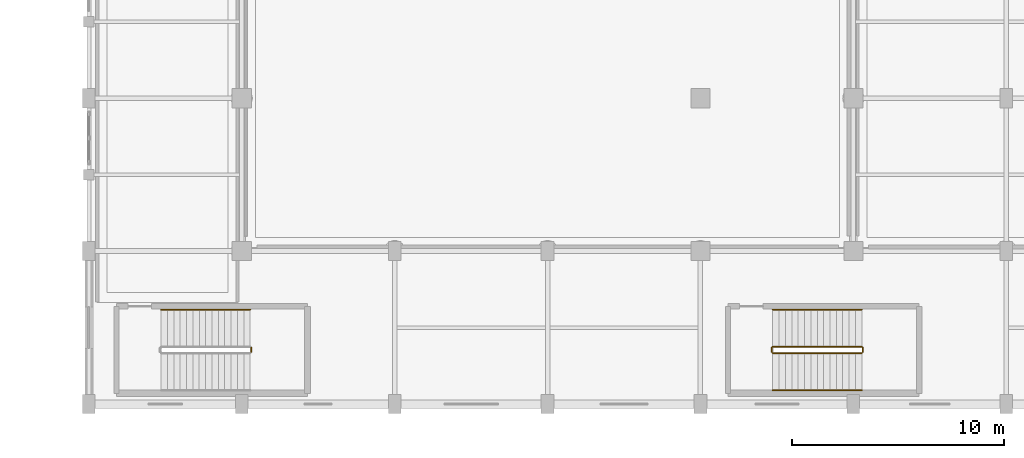
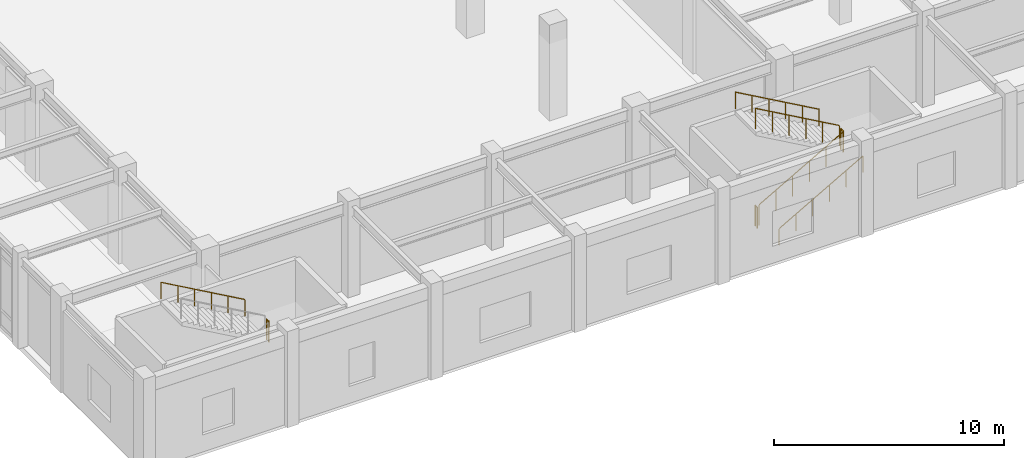
# One storey, part 114 of 117: 8 railings.
"""IFC4 building model written with IfcOpenShell, lengths in metres."""

from ifc_helpers import new_model, si_unit, direction, frame, origin, origin_2d, place, context, subcontext, project, spatial, circle, extrude, material, layer, layer_set, type_object, element, save


model = new_model("IFC4")

# Units and contexts
model_context = context("Model", 3, precision=1e-05, world=origin(), true_north=direction((0.0, 1.0)))
body_context = subcontext(model_context, "Body", "Model", "MODEL_VIEW")
ifc_project = project(units=[si_unit("LENGTHUNIT", "METRE"), si_unit("AREAUNIT", "SQUARE_METRE"), si_unit("VOLUMEUNIT", "CUBIC_METRE"), si_unit("PLANEANGLEUNIT", "RADIAN"), si_unit("MASSUNIT", "GRAM", prefix="KILO")], contexts=[model_context])

# Site, building, storey
site_placement = place(None, origin())
site = spatial("IfcSite", under=ifc_project, at=site_placement, CompositionType="ELEMENT")
building_placement = place(site_placement, origin())
building = spatial("IfcBuilding", under=site, at=building_placement, Name="Carrowvane Square Congress Hotel", CompositionType="ELEMENT")
storey_placement = place(building_placement, frame((0.0, 0.0, 5.39990234375)))
storey = spatial("IfcBuildingStorey", under=building, at=storey_placement, Name="L01", CompositionType="ELEMENT", Elevation=5.39990234375)

# Railings
ifc_material_1 = material(Name="Stainless steel 316", Category="steel")
ifc_layer_1 = layer(ifc_material_1, 0.048095703125)
ifc_layer_set_1 = layer_set([ifc_layer_1], Name="Stainless steel 316")
railing_type_1 = type_object("IfcRailingType", Name="RLG-HR-900", PredefinedType="HANDRAIL", material=ifc_layer_set_1)
railing_1_placement = place(storey_placement, frame((141.60009765625, 9.85009765625, 2.72021484375)))
element("IfcRailing", 1, at=railing_1_placement, inside=storey, type_object=railing_type_1, Name="L01 ST10 stair handrail 2", PredefinedType="HANDRAIL", context=body_context, shape_type="SweptSolid", body=[
    extrude(circle(Radius=0.02392578125, at=origin_2d()), frame((0.0, 0.0, 0.8759765625), z_axis=(-0.870042430969, 0.0, 0.492976843588), x_axis=(0.0, -1.0, 0.0)), (0.0, 0.0, 1.0), 4.82763671875),
    extrude(circle(Radius=0.02099609375, at=origin_2d()), origin(), (0.0, 0.0, 1.0), 0.851806640625),
    extrude(circle(Radius=0.02099609375, at=origin_2d()), frame((-0.840087890625, 0.0, 0.47607421875)), (0.0, 0.0, 1.0), 0.851806640625),
    extrude(circle(Radius=0.02099609375, at=origin_2d()), frame((-1.68017578125, 0.0, 0.951904296875)), (0.0, 0.0, 1.0), 0.851806640625),
    extrude(circle(Radius=0.02099609375, at=origin_2d()), frame((-2.52001953125, 0.0, 1.427978515625)), (0.0, 0.0, 1.0), 0.851806640625),
    extrude(circle(Radius=0.02099609375, at=origin_2d()), frame((-3.360107421875, 0.0, 1.90380859375)), (0.0, 0.0, 1.0), 0.851806640625),
    extrude(circle(Radius=0.02099609375, at=origin_2d()), frame((-4.2001953125, 0.0, 2.3798828125)), (0.0, 0.0, 1.0), 0.851806640625),
])
railing_2_placement = place(storey_placement, frame((166.199951171875, 6.050048828125, 0.170166015625)))
element("IfcRailing", 2, at=railing_2_placement, inside=storey, type_object=railing_type_1, Name="L01 ST11 stair handrail 1", PredefinedType="HANDRAIL", context=body_context, shape_type="SweptSolid", body=[
    extrude(circle(Radius=0.02392578125, at=origin_2d()), frame((0.0, 0.0, 0.8759765625), z_axis=(0.870030139814, 0.0, 0.492998535308), x_axis=(0.0, 1.0, 0.0)), (0.0, 0.0, 1.0), 4.827392578125),
    extrude(circle(Radius=0.02099609375, at=origin_2d()), origin(), (0.0, 0.0, 1.0), 0.851806640625),
    extrude(circle(Radius=0.02099609375, at=origin_2d()), frame((0.840087890625, 0.0, 0.47607421875)), (0.0, 0.0, 1.0), 0.851806640625),
    extrude(circle(Radius=0.02099609375, at=origin_2d()), frame((1.679931640625, 0.0, 0.951904296875)), (0.0, 0.0, 1.0), 0.851806640625),
    extrude(circle(Radius=0.02099609375, at=origin_2d()), frame((2.52001953125, 0.0, 1.427978515625)), (0.0, 0.0, 1.0), 0.851806640625),
    extrude(circle(Radius=0.02099609375, at=origin_2d()), frame((3.35986328125, 0.0, 1.90380859375)), (0.0, 0.0, 1.0), 0.851806640625),
    extrude(circle(Radius=0.02099609375, at=origin_2d()), frame((4.199951171875, 0.0, 2.3798828125)), (0.0, 0.0, 1.0), 0.851806640625),
])
railing_3_placement = place(storey_placement, frame((170.39990234375, 9.85009765625, 2.72021484375)))
element("IfcRailing", 3, at=railing_3_placement, inside=storey, type_object=railing_type_1, Name="L01 ST11 stair handrail 2", PredefinedType="HANDRAIL", context=body_context, shape_type="SweptSolid", body=[
    extrude(circle(Radius=0.02392578125, at=origin_2d()), frame((0.0, 0.0, 0.8759765625), z_axis=(-0.870030139814, 0.0, 0.492998535308), x_axis=(0.0, -1.0, 0.0)), (0.0, 0.0, 1.0), 4.827392578125),
    extrude(circle(Radius=0.02099609375, at=origin_2d()), origin(), (0.0, 0.0, 1.0), 0.851806640625),
    extrude(circle(Radius=0.02099609375, at=origin_2d()), frame((-0.840087890625, 0.0, 0.47607421875)), (0.0, 0.0, 1.0), 0.851806640625),
    extrude(circle(Radius=0.02099609375, at=origin_2d()), frame((-1.679931640625, 0.0, 0.951904296875)), (0.0, 0.0, 1.0), 0.851806640625),
    extrude(circle(Radius=0.02099609375, at=origin_2d()), frame((-2.52001953125, 0.0, 1.427978515625)), (0.0, 0.0, 1.0), 0.851806640625),
    extrude(circle(Radius=0.02099609375, at=origin_2d()), frame((-3.35986328125, 0.0, 1.90380859375)), (0.0, 0.0, 1.0), 0.851806640625),
    extrude(circle(Radius=0.02099609375, at=origin_2d()), frame((-4.199951171875, 0.0, 2.3798828125)), (0.0, 0.0, 1.0), 0.851806640625),
])
ifc_material_2 = material(Name="Galvanised steel", Category="steel")
ifc_layer_2 = layer(ifc_material_2, 0.048095703125)
ifc_layer_set_2 = layer_set([ifc_layer_2], Name="Galvanised steel")
railing_type_2 = type_object("IfcRailingType", Name="RLG-STG-1100", PredefinedType="GUARDRAIL", material=ifc_layer_set_2)
railing_4_placement = place(storey_placement, frame((141.64990234375, 7.85009765625, 2.550048828125)))
element("IfcRailing", 4, at=railing_4_placement, inside=storey, type_object=railing_type_2, Name="L01 ST10 stair guard 2", PredefinedType="GUARDRAIL", context=body_context, shape_type="SweptSolid", body=[
    extrude(circle(Radius=0.02392578125, at=origin_2d()), frame((0.0, 0.0, 1.076171875), z_axis=(0.0, 1.0, 0.0), x_axis=(-1.0, 0.0, 0.0)), (0.0, 0.0, 1.0), 0.199951171875),
    extrude(circle(Radius=0.02099609375, at=origin_2d()), origin(), (0.0, 0.0, 1.0), 1.052001953125),
    extrude(circle(Radius=0.02099609375, at=origin_2d()), frame((0.0, 0.199951171875, 0.0)), (0.0, 0.0, 1.0), 1.052001953125),
])
railing_5_placement = place(storey_placement, frame((166.199951171875, 7.800048828125, 0.170166015625)))
element("IfcRailing", 5, at=railing_5_placement, inside=storey, type_object=railing_type_2, Name="L01 ST11 stair guard 1", PredefinedType="GUARDRAIL", context=body_context, shape_type="SweptSolid", body=[
    extrude(circle(Radius=0.02392578125, at=origin_2d()), frame((0.0, 0.0, 1.076171875), z_axis=(0.870030139814, 0.0, 0.492998535308), x_axis=(0.0, 1.0, 0.0)), (0.0, 0.0, 1.0), 4.827392578125),
    extrude(circle(Radius=0.02099609375, at=origin_2d()), origin(), (0.0, 0.0, 1.0), 1.052001953125),
    extrude(circle(Radius=0.02099609375, at=origin_2d()), frame((0.840087890625, 0.0, 0.47607421875)), (0.0, 0.0, 1.0), 1.052001953125),
    extrude(circle(Radius=0.02099609375, at=origin_2d()), frame((1.679931640625, 0.0, 0.951904296875)), (0.0, 0.0, 1.0), 1.052001953125),
    extrude(circle(Radius=0.02099609375, at=origin_2d()), frame((2.52001953125, 0.0, 1.427978515625)), (0.0, 0.0, 1.0), 1.052001953125),
    extrude(circle(Radius=0.02099609375, at=origin_2d()), frame((3.35986328125, 0.0, 1.90380859375)), (0.0, 0.0, 1.0), 1.052001953125),
    extrude(circle(Radius=0.02099609375, at=origin_2d()), frame((4.199951171875, 0.0, 2.3798828125)), (0.0, 0.0, 1.0), 1.052001953125),
])
railing_6_placement = place(storey_placement, frame((170.449951171875, 7.85009765625, 2.550048828125)))
element("IfcRailing", 6, at=railing_6_placement, inside=storey, type_object=railing_type_2, Name="L01 ST11 stair guard 2", PredefinedType="GUARDRAIL", context=body_context, shape_type="SweptSolid", body=[
    extrude(circle(Radius=0.02392578125, at=origin_2d()), frame((0.0, 0.0, 1.076171875), z_axis=(0.0, 1.0, 0.0), x_axis=(-1.0, 0.0, 0.0)), (0.0, 0.0, 1.0), 0.199951171875),
    extrude(circle(Radius=0.02099609375, at=origin_2d()), origin(), (0.0, 0.0, 1.0), 1.052001953125),
    extrude(circle(Radius=0.02099609375, at=origin_2d()), frame((0.0, 0.199951171875, 0.0)), (0.0, 0.0, 1.0), 1.052001953125),
])
railing_7_placement = place(storey_placement, frame((170.39990234375, 8.10009765625, 2.72021484375)))
element("IfcRailing", 7, at=railing_7_placement, inside=storey, type_object=railing_type_2, Name="L01 ST11 stair guard 3", PredefinedType="GUARDRAIL", context=body_context, shape_type="SweptSolid", body=[
    extrude(circle(Radius=0.02392578125, at=origin_2d()), frame((0.0, 0.0, 1.076171875), z_axis=(-0.870030139814, 0.0, 0.492998535308), x_axis=(0.0, -1.0, 0.0)), (0.0, 0.0, 1.0), 4.827392578125),
    extrude(circle(Radius=0.02099609375, at=origin_2d()), origin(), (0.0, 0.0, 1.0), 1.052001953125),
    extrude(circle(Radius=0.02099609375, at=origin_2d()), frame((-0.840087890625, 0.0, 0.47607421875)), (0.0, 0.0, 1.0), 1.052001953125),
    extrude(circle(Radius=0.02099609375, at=origin_2d()), frame((-1.679931640625, 0.0, 0.951904296875)), (0.0, 0.0, 1.0), 1.052001953125),
    extrude(circle(Radius=0.02099609375, at=origin_2d()), frame((-2.52001953125, 0.0, 1.427978515625)), (0.0, 0.0, 1.0), 1.052001953125),
    extrude(circle(Radius=0.02099609375, at=origin_2d()), frame((-3.35986328125, 0.0, 1.90380859375)), (0.0, 0.0, 1.0), 1.052001953125),
    extrude(circle(Radius=0.02099609375, at=origin_2d()), frame((-4.199951171875, 0.0, 2.3798828125)), (0.0, 0.0, 1.0), 1.052001953125),
])
railing_8_placement = place(storey_placement, frame((166.14990234375, 7.85009765625, 0.0)))
element("IfcRailing", 8, at=railing_8_placement, inside=storey, type_object=railing_type_2, Name="L01 ST11 stair guard 4", PredefinedType="GUARDRAIL", context=body_context, shape_type="SweptSolid", body=[
    extrude(circle(Radius=0.02392578125, at=origin_2d()), frame((0.0, 0.0, 1.076171875), z_axis=(0.0, 1.0, 0.0), x_axis=(-1.0, 0.0, 0.0)), (0.0, 0.0, 1.0), 0.199951171875),
    extrude(circle(Radius=0.02099609375, at=origin_2d()), origin(), (0.0, 0.0, 1.0), 1.052001953125),
    extrude(circle(Radius=0.02099609375, at=origin_2d()), frame((0.0, 0.199951171875, 0.0)), (0.0, 0.0, 1.0), 1.052001953125),
])

save(model, "model.ifc")
